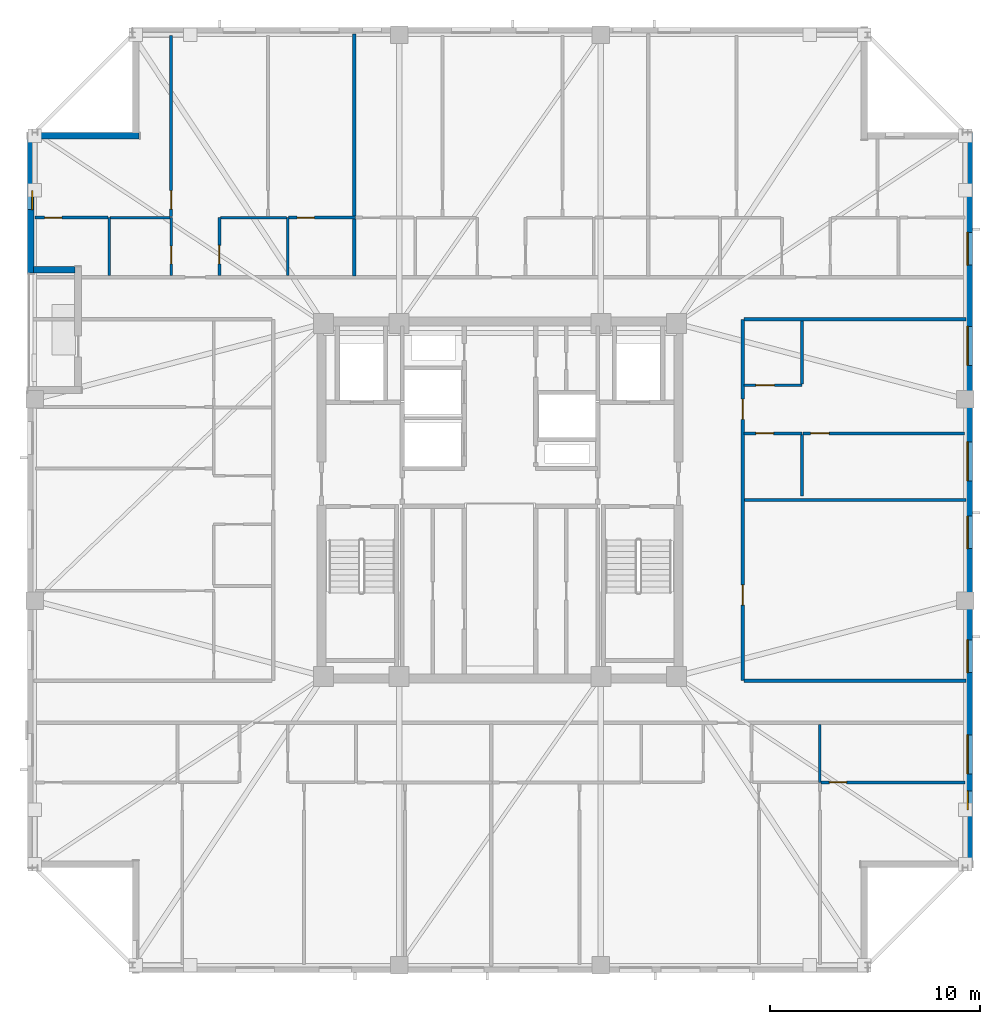
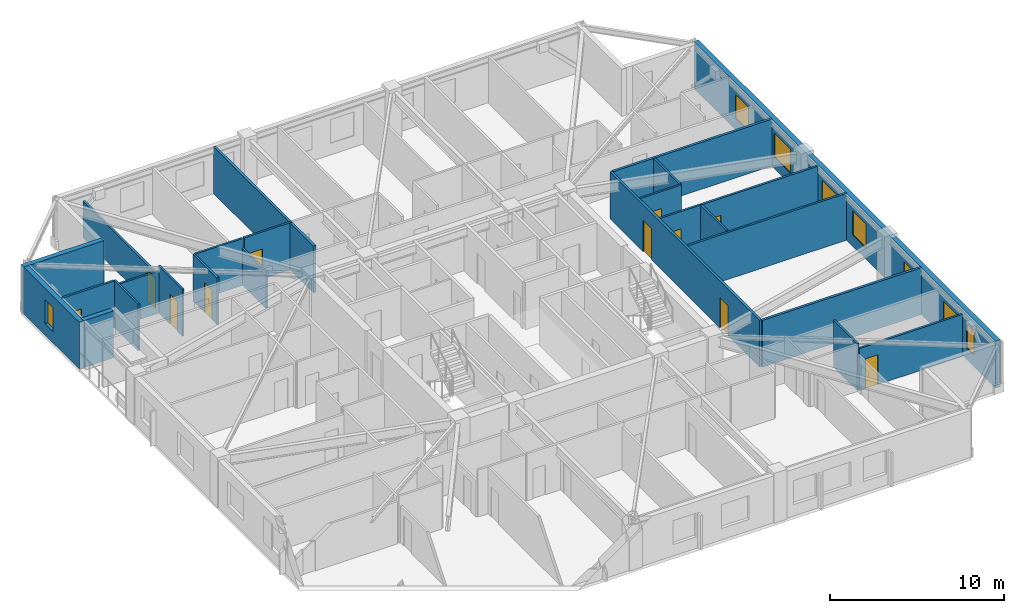
# One storey, part 10 of 17: 25 walls, 11 doors, 8 windows, 19 openings.
"""IFC4 building model written with IfcOpenShell, lengths in metres."""

from ifc_helpers import new_model, si_unit, direction, frame, frame_2d, origin, place, context, subcontext, project, spatial, rectangle, extrude, material, layer, layer_set, type_object, element, fill, save


model = new_model("IFC4")

# Units and contexts
model_context = context("Model", 3, precision=1e-05, world=origin(), true_north=direction((0.0, 1.0)))
body_context = subcontext(model_context, "Body", "Model", "MODEL_VIEW")
ifc_project = project(units=[si_unit("LENGTHUNIT", "METRE"), si_unit("AREAUNIT", "SQUARE_METRE"), si_unit("VOLUMEUNIT", "CUBIC_METRE"), si_unit("PLANEANGLEUNIT", "RADIAN"), si_unit("MASSUNIT", "GRAM", prefix="KILO")], contexts=[model_context])

# Site, building, storey
site_placement = place(None, origin())
site = spatial("IfcSite", under=ifc_project, at=site_placement, CompositionType="ELEMENT")
building_placement = place(site_placement, origin())
building = spatial("IfcBuilding", under=site, at=building_placement, Name="Cairnveth Concourse Tower", CompositionType="ELEMENT")
storey_placement = place(building_placement, frame((0.0, 0.0, 227.0)))
storey = spatial("IfcBuildingStorey", under=building, at=storey_placement, Name="L62", CompositionType="ELEMENT", Elevation=227.0)

# Wall, openings, doors
ifc_material_1 = material(Name="Gypsum Plasterboard Partition", Category="gypsum")
ifc_layer_1 = layer(ifc_material_1, 0.159912109375)
ifc_layer_set_1 = layer_set([ifc_layer_1], Name="Gypsum Plasterboard Partition")
wall_type_1 = type_object("IfcWallType", Name="ACOUSTIC PARTY WALL 180", PredefinedType="PARTITIONING", material=ifc_layer_set_1)
wall_1_placement = place(storey_placement, frame((63.550048828125, 30.39990234375, 0.0), z_axis=(0.0, 0.0, 1.0), x_axis=(0.0, 1.0, 0.0)))
wall_1 = element("IfcWall", 1, at=wall_1_placement, inside=storey, type_object=wall_type_1, Name="Interior Wall IW-L62-039", PredefinedType="PARTITIONING", context=body_context, shape_type="SweptSolid", body=[
    extrude(rectangle(XDim=17.2001953125, YDim=0.159912109375, at=frame_2d((8.60009765625, 0.0))), origin(), (0.0, 0.0, 1.0), 3.2900390625),
])
opening_1_placement = place(wall_1_placement, frame((3.60009765625, 0.0, 0.0)))
opening_1 = element("IfcOpeningElement", 2, at=opening_1_placement, cuts=wall_1, Name="Opening ID11", PredefinedType="OPENING", context=body_context, shape_type="SweptSolid", body=[
    extrude(rectangle(XDim=0.9599609375, YDim=2.1201171875, at=frame_2d((0.47998046875, 1.06005859375))), frame((0.0, 0.08984375, 0.0), z_axis=(0.0, -1.0, 0.0), x_axis=(1.0, 0.0, 0.0)), (0.0, 0.0, 1.0), 0.179931640625),
])
opening_2_placement = place(wall_1_placement, frame((12.43994140625, 0.0, 0.0)))
opening_2 = element("IfcOpeningElement", 3, at=opening_2_placement, cuts=wall_1, Name="Opening ID10", PredefinedType="OPENING", context=body_context, shape_type="SweptSolid", body=[
    extrude(rectangle(XDim=0.9599609375, YDim=2.179931640625, at=frame_2d((0.47998046875, 1.08984375))), frame((0.0, 0.08984375, 0.0), z_axis=(0.0, -1.0, 0.0), x_axis=(1.0, 0.0, 0.0)), (0.0, 0.0, 1.0), 0.179931640625),
])
ifc_material_2 = material(Name="Solid Core Hardwood Timber Leaf", Category="wood")
door_type_1 = type_object("IfcDoorType", Name="FLAT ENTRANCE DOOR 960X2150", OperationType="NOTDEFINED", PredefinedType="DOOR", material=ifc_material_2)
door_1_placement = place(opening_2_placement, origin())
door_1 = element("IfcDoor", 4, at=door_1_placement, inside=storey, type_object=door_type_1, Name="Apartment L62E1 Entrance Door", OperationType="SINGLE_SWING_RIGHT", OverallHeight=2.179931640625, OverallWidth=0.9599609375, PredefinedType="DOOR", context=body_context, shape_type="SweptSolid", body=[
    extrude(rectangle(XDim=0.9599609375, YDim=2.179931640625, at=frame_2d((0.47998046875, 1.08984375))), frame((0.0, 0.02490234375, 0.0), z_axis=(0.0, -1.0, 0.0), x_axis=(1.0, 0.0, 0.0)), (0.0, 0.0, 1.0), 0.050048828125),
])
fill(opening_2, door_1)
door_type_2 = type_object("IfcDoorType", Name="INTERIOR SINGLE DOOR 960X2150", OperationType="NOTDEFINED", PredefinedType="DOOR", material=ifc_material_2)
door_2_placement = place(opening_1_placement, origin())
door_2 = element("IfcDoor", 5, at=door_2_placement, inside=storey, type_object=door_type_2, Name="Interior Door DR-L62-062", OperationType="SINGLE_SWING_RIGHT", OverallHeight=2.1201171875, OverallWidth=0.9599609375, PredefinedType="DOOR", context=body_context, shape_type="SweptSolid", body=[
    extrude(rectangle(XDim=0.9599609375, YDim=2.1201171875, at=frame_2d((0.47998046875, 1.06005859375))), frame((0.0, 0.02490234375, 0.0), z_axis=(0.0, -1.0, 0.0), x_axis=(1.0, 0.0, 0.0)), (0.0, 0.0, 1.0), 0.050048828125),
])
fill(opening_1, door_2)

# Walls
for number, where, z_axis, x_axis, name in (
    (6, (63.614990234375, 30.39990234375, 0.0), (0.0, 0.0, 1.0), (1.0, 0.0, 0.0), "Interior Wall IW-L62-042"),
    (7, (63.614990234375, 47.60009765625, 0.0), (0.0, 0.0, 1.0), (1.0, 0.0, 0.0), "Interior Wall IW-L62-043"),
):
    element("IfcWall", number, at=place(storey_placement, frame(where, z_axis=z_axis, x_axis=x_axis)), inside=storey, type_object=wall_type_1, Name=name, PredefinedType="PARTITIONING", context=body_context, shape_type="SweptSolid", body=[
        extrude(rectangle(XDim=10.580078125, YDim=0.159912109375, at=frame_2d((5.2900390625, 0.0))), origin(), (0.0, 0.0, 1.0), 3.2900390625),
    ])
wall_2_placement = place(storey_placement, frame((45.0625, 49.677490234375, 0.0), z_axis=(0.0, 0.0, 1.0), x_axis=(0.0, 1.0, 0.0)))
element("IfcWall", 8, at=wall_2_placement, inside=storey, type_object=wall_type_1, Name="Interior Wall IW-L62-077", PredefinedType="PARTITIONING", context=body_context, shape_type="SweptSolid", body=[
    extrude(rectangle(XDim=11.517578125, YDim=0.159912109375, at=frame_2d((5.7587890625, 0.0))), origin(), (0.0, 0.0, 1.0), 3.2900390625),
])

# Wall, opening, door
ifc_layer_2 = layer(ifc_material_1, 0.139892578125)
ifc_layer_set_2 = layer_set([ifc_layer_2], Name="Gypsum Plasterboard Partition")
wall_type_2 = type_object("IfcWallType", Name="GYPSUM STUD PARTITION 140", PredefinedType="PARTITIONING", material=ifc_layer_set_2)
wall_3_placement = place(storey_placement, frame((67.284912109375, 25.5576171875, 0.0), z_axis=(0.0, 0.0, 1.0), x_axis=(1.0, 0.0, 0.0)))
wall_3 = element("IfcWall", 9, at=wall_3_placement, inside=storey, type_object=wall_type_2, Name="Interior Wall IW-L62-065", PredefinedType="PARTITIONING", context=body_context, shape_type="SweptSolid", body=[
    extrude(rectangle(XDim=6.844970703125, YDim=0.139892578125, at=frame_2d((3.42236328125, 0.0))), origin(), (0.0, 0.0, 1.0), 2.9580078125),
])
opening_3_placement = place(wall_3_placement, frame((0.393798828125, 0.0, 0.0)))
opening_3 = element("IfcOpeningElement", 10, at=opening_3_placement, cuts=wall_3, Name="Opening ID22", PredefinedType="OPENING", context=body_context, shape_type="SweptSolid", body=[
    extrude(rectangle(XDim=0.820068359375, YDim=2.10009765625, at=frame_2d((0.41015625, 1.050048828125))), frame((0.0, 0.079833984375, 0.0), z_axis=(0.0, -1.0, 0.0), x_axis=(1.0, 0.0, 0.0)), (0.0, 0.0, 1.0), 0.159912109375),
])
door_type_3 = type_object("IfcDoorType", Name="INTERIOR WC DOOR 820X2100", OperationType="NOTDEFINED", PredefinedType="DOOR", material=ifc_material_2)
door_3_placement = place(opening_3_placement, origin())
door_3 = element("IfcDoor", 11, at=door_3_placement, inside=storey, type_object=door_type_3, Name="L62S2 Utility Door", OperationType="SINGLE_SWING_LEFT", OverallHeight=2.10009765625, OverallWidth=0.820068359375, PredefinedType="DOOR", context=body_context, shape_type="SweptSolid", body=[
    extrude(rectangle(XDim=0.820068359375, YDim=2.10009765625, at=frame_2d((0.41015625, 1.050048828125))), frame((0.0, 0.02490234375, 0.0), z_axis=(0.0, -1.0, 0.0), x_axis=(1.0, 0.0, 0.0)), (0.0, 0.0, 1.0), 0.050048828125),
])
fill(opening_3, door_3)

wall_4_placement = place(storey_placement, frame((36.34130859375, 52.492431640625, 0.0), z_axis=(0.0, 0.0, 1.0), x_axis=(0.0, 1.0, 0.0)))
wall_4 = element("IfcWall", 12, at=wall_4_placement, inside=storey, type_object=wall_type_2, Name="Interior Wall IW-L62-073", PredefinedType="PARTITIONING", context=body_context, shape_type="SweptSolid", body=[
    extrude(rectangle(XDim=8.627685546875, YDim=0.139892578125, at=frame_2d((4.31396484375, 0.0))), origin(), (0.0, 0.0, 1.0), 2.572998046875),
])
opening_4_placement = place(wall_4_placement, frame((0.360107421875, 0.0, 0.0)))
opening_4 = element("IfcOpeningElement", 13, at=opening_4_placement, cuts=wall_4, Name="Opening ID18", PredefinedType="OPENING", context=body_context, shape_type="SweptSolid", body=[
    extrude(rectangle(XDim=0.8798828125, YDim=2.10009765625, at=frame_2d((0.43994140625, 1.050048828125))), frame((0.0, 0.079833984375, 0.0), z_axis=(0.0, -1.0, 0.0), x_axis=(1.0, 0.0, 0.0)), (0.0, 0.0, 1.0), 0.159912109375),
])
door_type_4 = type_object("IfcDoorType", Name="INTERIOR SINGLE DOOR 880X2100", OperationType="NOTDEFINED", PredefinedType="DOOR", material=ifc_material_2)
door_4_placement = place(opening_4_placement, origin())
door_4 = element("IfcDoor", 14, at=door_4_placement, inside=storey, type_object=door_type_4, Name="L62N1 Master Bedroom Door", OperationType="SINGLE_SWING_RIGHT", OverallHeight=2.10009765625, OverallWidth=0.8798828125, PredefinedType="DOOR", context=body_context, shape_type="SweptSolid", body=[
    extrude(rectangle(XDim=0.8798828125, YDim=2.10009765625, at=frame_2d((0.43994140625, 1.050048828125))), frame((0.0, 0.02490234375, 0.0), z_axis=(0.0, -1.0, 0.0), x_axis=(1.0, 0.0, 0.0)), (0.0, 0.0, 1.0), 0.050048828125),
])
fill(opening_4, door_4)

wall_5_placement = place(storey_placement, frame((29.8701171875, 52.4423828125, 0.0), z_axis=(0.0, 0.0, 1.0), x_axis=(1.0, 0.0, 0.0)))
wall_5 = element("IfcWall", 15, at=wall_5_placement, inside=storey, type_object=wall_type_2, Name="Interior Wall IW-L62-074", PredefinedType="PARTITIONING", context=body_context, shape_type="SweptSolid", body=[
    extrude(rectangle(XDim=3.47119140625, YDim=0.139892578125, at=frame_2d((1.735595703125, 0.0))), origin(), (0.0, 0.0, 1.0), 3.2900390625),
])
opening_5_placement = place(wall_5_placement, frame((0.449951171875, 0.0, 0.0)))
opening_5 = element("IfcOpeningElement", 16, at=opening_5_placement, cuts=wall_5, Name="Opening ID22", PredefinedType="OPENING", context=body_context, shape_type="SweptSolid", body=[
    extrude(rectangle(XDim=0.820068359375, YDim=2.10009765625, at=frame_2d((0.41015625, 1.050048828125))), frame((0.0, 0.079833984375, 0.0), z_axis=(0.0, -1.0, 0.0), x_axis=(1.0, 0.0, 0.0)), (0.0, 0.0, 1.0), 0.159912109375),
])
door_5_placement = place(opening_5_placement, origin())
door_5 = element("IfcDoor", 17, at=door_5_placement, inside=storey, type_object=door_type_3, Name="L62N1 Dressing Door", OperationType="SINGLE_SWING_LEFT", OverallHeight=2.10009765625, OverallWidth=0.820068359375, PredefinedType="DOOR", context=body_context, shape_type="SweptSolid", body=[
    extrude(rectangle(XDim=0.820068359375, YDim=2.10009765625, at=frame_2d((0.41015625, 1.050048828125))), frame((0.0, 0.02490234375, 0.0), z_axis=(0.0, -1.0, 0.0), x_axis=(1.0, 0.0, 0.0)), (0.0, 0.0, 1.0), 0.050048828125),
])
fill(opening_5, door_5)

wall_6_placement = place(storey_placement, frame((41.941162109375, 52.4423828125, 0.0), z_axis=(0.0, 0.0, 1.0), x_axis=(1.0, 0.0, 0.0)))
wall_6 = element("IfcWall", 18, at=wall_6_placement, inside=storey, type_object=wall_type_2, Name="Interior Wall IW-L62-076", PredefinedType="PARTITIONING", context=body_context, shape_type="SweptSolid", body=[
    extrude(rectangle(XDim=3.17138671875, YDim=0.139892578125, at=frame_2d((1.585693359375, 0.0))), origin(), (0.0, 0.0, 1.0), 3.2900390625),
])
opening_6_placement = place(wall_6_placement, frame((0.39990234375, 0.0, 0.0)))
opening_6 = element("IfcOpeningElement", 19, at=opening_6_placement, cuts=wall_6, Name="Opening ID22", PredefinedType="OPENING", context=body_context, shape_type="SweptSolid", body=[
    extrude(rectangle(XDim=0.820068359375, YDim=2.10009765625, at=frame_2d((0.41015625, 1.050048828125))), frame((0.0, 0.079833984375, 0.0), z_axis=(0.0, -1.0, 0.0), x_axis=(1.0, 0.0, 0.0)), (0.0, 0.0, 1.0), 0.159912109375),
])
door_6_placement = place(opening_6_placement, origin())
door_6 = element("IfcDoor", 20, at=door_6_placement, inside=storey, type_object=door_type_3, Name="L62N1 Utility Door", OperationType="SINGLE_SWING_LEFT", OverallHeight=2.10009765625, OverallWidth=0.820068359375, PredefinedType="DOOR", context=body_context, shape_type="SweptSolid", body=[
    extrude(rectangle(XDim=0.820068359375, YDim=2.10009765625, at=frame_2d((0.41015625, 1.050048828125))), frame((0.0, 0.02490234375, 0.0), z_axis=(0.0, -1.0, 0.0), x_axis=(1.0, 0.0, 0.0)), (0.0, 0.0, 1.0), 0.050048828125),
])
fill(opening_6, door_6)

# Wall
wall_7_placement = place(storey_placement, frame((63.6298828125, 39.0, 0.0), z_axis=(0.0, 0.0, 1.0), x_axis=(1.0, 0.0, 0.0)))
element("IfcWall", 21, at=wall_7_placement, inside=storey, type_object=wall_type_2, Name="Interior Wall IW-L62-110", PredefinedType="PARTITIONING", context=body_context, shape_type="SweptSolid", body=[
    extrude(rectangle(XDim=10.565185546875, YDim=0.139892578125, at=frame_2d((5.28271484375, 0.0))), origin(), (0.0, 0.0, 1.0), 3.2900390625),
])

# Wall, opening, door
wall_8_placement = place(storey_placement, frame((66.429931640625, 42.169921875, 0.0), z_axis=(0.0, 0.0, 1.0), x_axis=(1.0, 0.0, 0.0)))
wall_8 = element("IfcWall", 22, at=wall_8_placement, inside=storey, type_object=wall_type_2, Name="Interior Wall IW-L62-115", PredefinedType="PARTITIONING", context=body_context, shape_type="SweptSolid", body=[
    extrude(rectangle(XDim=7.690185546875, YDim=0.139892578125, at=frame_2d((3.84521484375, 0.0))), origin(), (0.0, 0.0, 1.0), 3.2900390625),
])
opening_7_placement = place(wall_8_placement, frame((0.360107421875, 0.0, 0.0)))
opening_7 = element("IfcOpeningElement", 23, at=opening_7_placement, cuts=wall_8, Name="Opening ID18", PredefinedType="OPENING", context=body_context, shape_type="SweptSolid", body=[
    extrude(rectangle(XDim=0.8798828125, YDim=2.10009765625, at=frame_2d((0.43994140625, 1.050048828125))), frame((0.0, 0.079833984375, 0.0), z_axis=(0.0, -1.0, 0.0), x_axis=(1.0, 0.0, 0.0)), (0.0, 0.0, 1.0), 0.159912109375),
])
door_7_placement = place(opening_7_placement, origin())
door_7 = element("IfcDoor", 24, at=door_7_placement, inside=storey, type_object=door_type_4, Name="L62E1 Master Bedroom Door", OperationType="SINGLE_SWING_LEFT", OverallHeight=2.10009765625, OverallWidth=0.8798828125, PredefinedType="DOOR", context=body_context, shape_type="SweptSolid", body=[
    extrude(rectangle(XDim=0.8798828125, YDim=2.10009765625, at=frame_2d((0.43994140625, 1.050048828125))), frame((0.0, 0.02490234375, 0.0), z_axis=(0.0, -1.0, 0.0), x_axis=(1.0, 0.0, 0.0)), (0.0, 0.0, 1.0), 0.050048828125),
])
fill(opening_7, door_7)

# Walls
ifc_layer_3 = layer(ifc_material_1, 0.1298828125)
ifc_layer_set_3 = layer_set([ifc_layer_3], Name="Gypsum Plasterboard Partition")
wall_type_3 = type_object("IfcWallType", Name="WET AREA PARTITION 140", PredefinedType="PLUMBINGWALL", material=ifc_layer_set_3)
for number, where, z_axis, x_axis, name in (
    (25, (67.228759765625, 25.5576171875, 0.0), (0.0, 0.0, 1.0), (0.0, 1.0, 0.0), "Interior Wall IW-L62-059"),
    (26, (33.391357421875, 49.6923828125, 0.0), (0.0, 0.0, 1.0), (0.0, 1.0, 0.0), "Interior Wall IW-L62-067"),
):
    element("IfcWall", number, at=place(storey_placement, frame(where, z_axis=z_axis, x_axis=x_axis)), inside=storey, type_object=wall_type_3, Name=name, PredefinedType="PLUMBINGWALL", context=body_context, shape_type="SweptSolid", body=[
        extrude(rectangle(XDim=2.75, YDim=0.1298828125, at=frame_2d((1.375, 0.0))), origin(), (0.0, 0.0, 1.0), 3.2900390625),
    ])

# Wall, opening, door
wall_9_placement = place(storey_placement, frame((36.34130859375, 49.6923828125, 0.0), z_axis=(0.0, 0.0, 1.0), x_axis=(0.0, 1.0, 0.0)))
wall_9 = element("IfcWall", 27, at=wall_9_placement, inside=storey, type_object=wall_type_3, Name="Interior Wall IW-L62-068", PredefinedType="PLUMBINGWALL", context=body_context, shape_type="SweptSolid", body=[
    extrude(rectangle(XDim=2.75, YDim=0.1298828125, at=frame_2d((1.375, 0.0))), origin(), (0.0, 0.0, 1.0), 3.2900390625),
])
opening_8_placement = place(wall_9_placement, frame((0.550048828125, 0.0, 0.0)))
opening_8 = element("IfcOpeningElement", 28, at=opening_8_placement, cuts=wall_9, Name="Opening ID21", PredefinedType="OPENING", context=body_context, shape_type="SweptSolid", body=[
    extrude(rectangle(XDim=0.85009765625, YDim=2.080078125, at=frame_2d((0.425048828125, 1.0400390625))), frame((0.0, 0.074951171875, 0.0), z_axis=(0.0, -1.0, 0.0), x_axis=(1.0, 0.0, 0.0)), (0.0, 0.0, 1.0), 0.14990234375),
])
door_type_5 = type_object("IfcDoorType", Name="INTERIOR WC DOOR 850X2100", OperationType="NOTDEFINED", PredefinedType="DOOR", material=ifc_material_2)
door_8_placement = place(opening_8_placement, origin())
door_8 = element("IfcDoor", 29, at=door_8_placement, inside=storey, type_object=door_type_5, Name="L62N1 Bathroom Door", OperationType="SINGLE_SWING_LEFT", OverallHeight=2.080078125, OverallWidth=0.85009765625, PredefinedType="DOOR", context=body_context, shape_type="SweptSolid", body=[
    extrude(rectangle(XDim=0.85009765625, YDim=2.080078125, at=frame_2d((0.425048828125, 1.0400390625))), frame((0.0, 0.02490234375, 0.0), z_axis=(0.0, -1.0, 0.0), x_axis=(1.0, 0.0, 0.0)), (0.0, 0.0, 1.0), 0.050048828125),
])
fill(opening_8, door_8)

# Walls
wall_10_placement = place(storey_placement, frame((33.44140625, 52.4423828125, 0.0), z_axis=(0.0, 0.0, 1.0), x_axis=(1.0, 0.0, 0.0)))
element("IfcWall", 30, at=wall_10_placement, inside=storey, type_object=wall_type_3, Name="Interior Wall IW-L62-069", PredefinedType="PLUMBINGWALL", context=body_context, shape_type="SweptSolid", body=[
    extrude(rectangle(XDim=2.849853515625, YDim=0.1298828125, at=frame_2d((1.4248046875, 0.0))), origin(), (0.0, 0.0, 1.0), 2.9580078125),
])
wall_11_placement = place(storey_placement, frame((41.89111328125, 49.6923828125, 0.0), z_axis=(0.0, 0.0, 1.0), x_axis=(0.0, 1.0, 0.0)))
element("IfcWall", 31, at=wall_11_placement, inside=storey, type_object=wall_type_3, Name="Interior Wall IW-L62-070", PredefinedType="PLUMBINGWALL", context=body_context, shape_type="SweptSolid", body=[
    extrude(rectangle(XDim=2.75, YDim=0.1298828125, at=frame_2d((1.375, 0.0))), origin(), (0.0, 0.0, 1.0), 2.572998046875),
])

# Wall, opening, door
wall_12_placement = place(storey_placement, frame((38.64111328125, 49.6923828125, 0.0), z_axis=(0.0, 0.0, 1.0), x_axis=(0.0, 1.0, 0.0)))
wall_12 = element("IfcWall", 32, at=wall_12_placement, inside=storey, type_object=wall_type_3, Name="Interior Wall IW-L62-071", PredefinedType="PLUMBINGWALL", context=body_context, shape_type="SweptSolid", body=[
    extrude(rectangle(XDim=2.75, YDim=0.1298828125, at=frame_2d((1.375, 0.0))), origin(), (0.0, 0.0, 1.0), 3.2900390625),
])
opening_9_placement = place(wall_12_placement, frame((0.550048828125, 0.0, 0.0)))
opening_9 = element("IfcOpeningElement", 33, at=opening_9_placement, cuts=wall_12, Name="Opening ID18", PredefinedType="OPENING", context=body_context, shape_type="SweptSolid", body=[
    extrude(rectangle(XDim=0.8798828125, YDim=2.10009765625, at=frame_2d((0.43994140625, 1.050048828125))), frame((0.0, 0.074951171875, 0.0), z_axis=(0.0, -1.0, 0.0), x_axis=(1.0, 0.0, 0.0)), (0.0, 0.0, 1.0), 0.14990234375),
])
door_9_placement = place(opening_9_placement, origin())
door_9 = element("IfcDoor", 34, at=door_9_placement, inside=storey, type_object=door_type_4, Name="L62N1 Kitchen Door", OperationType="SINGLE_SWING_RIGHT", OverallHeight=2.10009765625, OverallWidth=0.8798828125, PredefinedType="DOOR", context=body_context, shape_type="SweptSolid", body=[
    extrude(rectangle(XDim=0.8798828125, YDim=2.10009765625, at=frame_2d((0.43994140625, 1.050048828125))), frame((0.0, 0.02490234375, 0.0), z_axis=(0.0, -1.0, 0.0), x_axis=(1.0, 0.0, 0.0)), (0.0, 0.0, 1.0), 0.050048828125),
])
fill(opening_9, door_9)

# Wall
wall_13_placement = place(storey_placement, frame((38.691162109375, 52.4423828125, 0.0), z_axis=(0.0, 0.0, 1.0), x_axis=(1.0, 0.0, 0.0)))
element("IfcWall", 35, at=wall_13_placement, inside=storey, type_object=wall_type_3, Name="Interior Wall IW-L62-072", PredefinedType="PLUMBINGWALL", context=body_context, shape_type="SweptSolid", body=[
    extrude(rectangle(XDim=3.150146484375, YDim=0.1298828125, at=frame_2d((1.5751953125, 0.0))), origin(), (0.0, 0.0, 1.0), 3.2900390625),
])

# Wall, opening, door
wall_14_placement = place(storey_placement, frame((63.6298828125, 42.169921875, 0.0), z_axis=(0.0, 0.0, 1.0), x_axis=(1.0, 0.0, 0.0)))
wall_14 = element("IfcWall", 36, at=wall_14_placement, inside=storey, type_object=wall_type_3, Name="Interior Wall IW-L62-111", PredefinedType="PLUMBINGWALL", context=body_context, shape_type="SweptSolid", body=[
    extrude(rectangle(XDim=2.75, YDim=0.1298828125, at=frame_2d((1.375, 0.0))), origin(), (0.0, 0.0, 1.0), 3.2900390625),
])
opening_10_placement = place(wall_14_placement, frame((0.550048828125, 0.0, 0.0)))
opening_10 = element("IfcOpeningElement", 37, at=opening_10_placement, cuts=wall_14, Name="Opening ID21", PredefinedType="OPENING", context=body_context, shape_type="SweptSolid", body=[
    extrude(rectangle(XDim=0.85009765625, YDim=2.080078125, at=frame_2d((0.425048828125, 1.0400390625))), frame((0.0, 0.074951171875, 0.0), z_axis=(0.0, -1.0, 0.0), x_axis=(1.0, 0.0, 0.0)), (0.0, 0.0, 1.0), 0.14990234375),
])
door_10_placement = place(opening_10_placement, origin())
door_10 = element("IfcDoor", 38, at=door_10_placement, inside=storey, type_object=door_type_5, Name="L62E1 Bathroom Door", OperationType="SINGLE_SWING_LEFT", OverallHeight=2.080078125, OverallWidth=0.85009765625, PredefinedType="DOOR", context=body_context, shape_type="SweptSolid", body=[
    extrude(rectangle(XDim=0.85009765625, YDim=2.080078125, at=frame_2d((0.425048828125, 1.0400390625))), frame((0.0, 0.02490234375, 0.0), z_axis=(0.0, -1.0, 0.0), x_axis=(1.0, 0.0, 0.0)), (0.0, 0.0, 1.0), 0.050048828125),
])
fill(opening_10, door_10)

# Wall
wall_15_placement = place(storey_placement, frame((66.3798828125, 39.179931640625, 0.0), z_axis=(0.0, 0.0, 1.0), x_axis=(0.0, 1.0, 0.0)))
element("IfcWall", 39, at=wall_15_placement, inside=storey, type_object=wall_type_3, Name="Interior Wall IW-L62-112", PredefinedType="PLUMBINGWALL", context=body_context, shape_type="SweptSolid", body=[
    extrude(rectangle(XDim=2.940185546875, YDim=0.1298828125, at=frame_2d((1.47021484375, 0.0))), origin(), (0.0, 0.0, 1.0), 3.2900390625),
])

# Wall, opening, door
wall_16_placement = place(storey_placement, frame((63.6298828125, 44.469970703125, 0.0), z_axis=(0.0, 0.0, 1.0), x_axis=(1.0, 0.0, 0.0)))
wall_16 = element("IfcWall", 40, at=wall_16_placement, inside=storey, type_object=wall_type_3, Name="Interior Wall IW-L62-113", PredefinedType="PLUMBINGWALL", context=body_context, shape_type="SweptSolid", body=[
    extrude(rectangle(XDim=2.75, YDim=0.1298828125, at=frame_2d((1.375, 0.0))), origin(), (0.0, 0.0, 1.0), 3.2900390625),
])
opening_11_placement = place(wall_16_placement, frame((0.550048828125, 0.0, 0.0)))
opening_11 = element("IfcOpeningElement", 41, at=opening_11_placement, cuts=wall_16, Name="Opening ID18", PredefinedType="OPENING", context=body_context, shape_type="SweptSolid", body=[
    extrude(rectangle(XDim=0.8798828125, YDim=2.10009765625, at=frame_2d((0.43994140625, 1.050048828125))), frame((0.0, 0.074951171875, 0.0), z_axis=(0.0, -1.0, 0.0), x_axis=(1.0, 0.0, 0.0)), (0.0, 0.0, 1.0), 0.14990234375),
])
door_11_placement = place(opening_11_placement, origin())
door_11 = element("IfcDoor", 42, at=door_11_placement, inside=storey, type_object=door_type_4, Name="L62E1 Kitchen Door", OperationType="SINGLE_SWING_RIGHT", OverallHeight=2.10009765625, OverallWidth=0.8798828125, PredefinedType="DOOR", context=body_context, shape_type="SweptSolid", body=[
    extrude(rectangle(XDim=0.8798828125, YDim=2.10009765625, at=frame_2d((0.43994140625, 1.050048828125))), frame((0.0, 0.02490234375, 0.0), z_axis=(0.0, -1.0, 0.0), x_axis=(1.0, 0.0, 0.0)), (0.0, 0.0, 1.0), 0.050048828125),
])
fill(opening_11, door_11)

# Wall
wall_17_placement = place(storey_placement, frame((66.3798828125, 44.52001953125, 0.0), z_axis=(0.0, 0.0, 1.0), x_axis=(0.0, 1.0, 0.0)))
element("IfcWall", 43, at=wall_17_placement, inside=storey, type_object=wall_type_3, Name="Interior Wall IW-L62-114", PredefinedType="PLUMBINGWALL", context=body_context, shape_type="SweptSolid", body=[
    extrude(rectangle(XDim=3.014892578125, YDim=0.1298828125, at=frame_2d((1.50732421875, 0.0))), origin(), (0.0, 0.0, 1.0), 3.2900390625),
])

# Wall, opening, window
ifc_material_3 = material(Name="Melbourne Buff Fired Clay Brick Masonry", Category="masonry")
ifc_layer_4 = layer(ifc_material_3, 0.320068359375)
ifc_layer_set_4 = layer_set([ifc_layer_4], Name="Melbourne Buff Fired Clay Brick Masonry")
wall_type_4 = type_object("IfcWallType", Name="ZONE 3 BRICK PIER SPANDREL WALL 320", PredefinedType="SOLIDWALL", material=ifc_layer_set_4)
wall_18_placement = place(storey_placement, frame((29.659912109375, 49.800048828125, 0.0), z_axis=(0.0, 0.0, 1.0), x_axis=(0.0, 1.0, 0.0)))
wall_18 = element("IfcWall", 44, at=wall_18_placement, inside=storey, type_object=wall_type_4, Name="Exterior Wall EW-L62-S00", PredefinedType="SOLIDWALL", context=body_context, shape_type="SweptSolid", body=[
    extrude(rectangle(XDim=6.40185546875, YDim=0.320068359375, at=frame_2d((3.200927734375, 0.0))), origin(), (0.0, 0.0, 1.0), 3.2900390625),
])
opening_12_placement = place(wall_18_placement, frame((3.030029296875, 0.0, 0.800048828125)))
opening_12 = element("IfcOpeningElement", 45, at=opening_12_placement, cuts=wall_18, Name="Opening W13", PredefinedType="OPENING", context=body_context, shape_type="SweptSolid", body=[
    extrude(rectangle(XDim=0.89990234375, YDim=1.677978515625, at=frame_2d((0.449951171875, 0.8388671875))), frame((0.0, 0.169921875, 0.0), z_axis=(0.0, -1.0, 0.0), x_axis=(1.0, 0.0, 0.0)), (0.0, 0.0, 1.0), 0.340087890625),
])
ifc_material_4 = material(Name="Double Glazed Low-E Clear Glass", Category="glass")
window_type_1 = type_object("IfcWindowType", Name="DEEP-SET BEDROOM LANCET WINDOW 900X1750", PartitioningType="DOUBLE_PANEL_VERTICAL", PredefinedType="WINDOW", material=ifc_material_4)
window_1_placement = place(opening_12_placement, origin())
window_1 = element("IfcWindow", 46, at=window_1_placement, inside=storey, type_object=window_type_1, Name="Dwelling Lancet Window L62-DW3", OverallHeight=1.677978515625, OverallWidth=0.89990234375, PartitioningType="SINGLE_PANEL", PredefinedType="WINDOW", context=body_context, shape_type="SweptSolid", body=[
    extrude(rectangle(XDim=0.89990234375, YDim=1.677978515625, at=frame_2d((0.449951171875, 0.8388671875))), frame((0.0, -0.0400390625, 0.0), z_axis=(0.0, -1.0, 0.0), x_axis=(1.0, 0.0, 0.0)), (0.0, 0.0, 1.0), 0.06005859375),
])
fill(opening_12, window_1)

# Wall
wall_19_placement = place(storey_placement, frame((29.5, 56.340087890625, 0.0), z_axis=(0.0, 0.0, 1.0), x_axis=(1.0, 0.0, 0.0)))
element("IfcWall", 47, at=wall_19_placement, inside=storey, type_object=wall_type_4, Name="Exterior Wall EW-L62-S01", PredefinedType="SOLIDWALL", context=body_context, shape_type="SweptSolid", body=[
    extrude(rectangle(XDim=5.320068359375, YDim=0.320068359375, at=frame_2d((2.66015625, 0.0))), origin(), (0.0, 0.0, 1.0), 3.2900390625),
])

# Wall, openings, windows
wall_20_placement = place(storey_placement, frame((74.340087890625, 56.5, 0.0), z_axis=(0.0, 0.0, 1.0), x_axis=(0.0, -1.0, 0.0)))
wall_20 = element("IfcWall", 48, at=wall_20_placement, inside=storey, type_object=wall_type_4, Name="Exterior Wall EW-L62-S06", PredefinedType="SOLIDWALL", context=body_context, shape_type="SweptSolid", body=[
    extrude(rectangle(XDim=34.701904296875, YDim=0.320068359375, at=frame_2d((17.35107421875, 0.0))), origin(), (0.0, 0.0, 1.0), 3.2900390625),
])
opening_13_placement = place(wall_20_placement, frame((4.7626953125, 0.0, 0.800048828125)))
opening_13 = element("IfcOpeningElement", 49, at=opening_13_placement, cuts=wall_20, Name="Opening W07", PredefinedType="OPENING", context=body_context, shape_type="SweptSolid", body=[
    extrude(rectangle(XDim=1.550048828125, YDim=1.677978515625, at=frame_2d((0.77490234375, 0.8388671875))), frame((0.0, 0.169921875, 0.0), z_axis=(0.0, -1.0, 0.0), x_axis=(1.0, 0.0, 0.0)), (0.0, 0.0, 1.0), 0.340087890625),
])
opening_14_placement = place(wall_20_placement, frame((9.23779296875, 0.0, 0.800048828125)))
opening_14 = element("IfcOpeningElement", 50, at=opening_14_placement, cuts=wall_20, Name="Opening W08", PredefinedType="OPENING", context=body_context, shape_type="SweptSolid", body=[
    extrude(rectangle(XDim=1.85009765625, YDim=1.677978515625, at=frame_2d((0.925048828125, 0.8388671875))), frame((0.0, 0.169921875, 0.0), z_axis=(0.0, -1.0, 0.0), x_axis=(1.0, 0.0, 0.0)), (0.0, 0.0, 1.0), 0.340087890625),
])
opening_15_placement = place(wall_20_placement, frame((14.73828125, 0.0, 0.800048828125)))
opening_15 = element("IfcOpeningElement", 51, at=opening_15_placement, cuts=wall_20, Name="Opening W08", PredefinedType="OPENING", context=body_context, shape_type="SweptSolid", body=[
    extrude(rectangle(XDim=1.85009765625, YDim=1.677978515625, at=frame_2d((0.925048828125, 0.8388671875))), frame((0.0, 0.169921875, 0.0), z_axis=(0.0, -1.0, 0.0), x_axis=(1.0, 0.0, 0.0)), (0.0, 0.0, 1.0), 0.340087890625),
])
opening_16_placement = place(wall_20_placement, frame((18.263671875, 0.0, 0.800048828125)))
opening_16 = element("IfcOpeningElement", 52, at=opening_16_placement, cuts=wall_20, Name="Opening W07", PredefinedType="OPENING", context=body_context, shape_type="SweptSolid", body=[
    extrude(rectangle(XDim=1.550048828125, YDim=1.677978515625, at=frame_2d((0.77490234375, 0.8388671875))), frame((0.0, 0.169921875, 0.0), z_axis=(0.0, -1.0, 0.0), x_axis=(1.0, 0.0, 0.0)), (0.0, 0.0, 1.0), 0.340087890625),
])
opening_17_placement = place(wall_20_placement, frame((24.1640625, 0.0, 0.800048828125)))
opening_17 = element("IfcOpeningElement", 53, at=opening_17_placement, cuts=wall_20, Name="Opening W07", PredefinedType="OPENING", context=body_context, shape_type="SweptSolid", body=[
    extrude(rectangle(XDim=1.550048828125, YDim=1.677978515625, at=frame_2d((0.77490234375, 0.8388671875))), frame((0.0, 0.169921875, 0.0), z_axis=(0.0, -1.0, 0.0), x_axis=(1.0, 0.0, 0.0)), (0.0, 0.0, 1.0), 0.340087890625),
])
opening_18_placement = place(wall_20_placement, frame((28.689453125, 0.0, 0.800048828125)))
opening_18 = element("IfcOpeningElement", 54, at=opening_18_placement, cuts=wall_20, Name="Opening W08", PredefinedType="OPENING", context=body_context, shape_type="SweptSolid", body=[
    extrude(rectangle(XDim=1.85009765625, YDim=1.677978515625, at=frame_2d((0.925048828125, 0.8388671875))), frame((0.0, 0.169921875, 0.0), z_axis=(0.0, -1.0, 0.0), x_axis=(1.0, 0.0, 0.0)), (0.0, 0.0, 1.0), 0.340087890625),
])
opening_19_placement = place(wall_20_placement, frame((31.35009765625, 0.0, 0.800048828125)))
opening_19 = element("IfcOpeningElement", 55, at=opening_19_placement, cuts=wall_20, Name="Opening W13", PredefinedType="OPENING", context=body_context, shape_type="SweptSolid", body=[
    extrude(rectangle(XDim=0.89990234375, YDim=1.677978515625, at=frame_2d((0.449951171875, 0.8388671875))), frame((0.0, 0.169921875, 0.0), z_axis=(0.0, -1.0, 0.0), x_axis=(1.0, 0.0, 0.0)), (0.0, 0.0, 1.0), 0.340087890625),
])
window_type_2 = type_object("IfcWindowType", Name="DEEP-SET APARTMENT LIVING WINDOW 1850X1850", PartitioningType="DOUBLE_PANEL_VERTICAL", PredefinedType="WINDOW", material=ifc_material_4)
window_2_placement = place(opening_14_placement, origin())
window_2 = element("IfcWindow", 56, at=window_2_placement, inside=storey, type_object=window_type_2, Name="Gothic Lancet Window L62-6-2", OverallHeight=1.677978515625, OverallWidth=1.85009765625, PartitioningType="SINGLE_PANEL", PredefinedType="WINDOW", context=body_context, shape_type="SweptSolid", body=[
    extrude(rectangle(XDim=1.85009765625, YDim=1.677978515625, at=frame_2d((0.925048828125, 0.8388671875))), frame((0.0, -0.050048828125, 0.0), z_axis=(0.0, -1.0, 0.0), x_axis=(1.0, 0.0, 0.0)), (0.0, 0.0, 1.0), 0.06005859375),
])
fill(opening_14, window_2)
window_3_placement = place(opening_15_placement, origin())
window_3 = element("IfcWindow", 57, at=window_3_placement, inside=storey, type_object=window_type_2, Name="Gothic Lancet Window L62-6-4", OverallHeight=1.677978515625, OverallWidth=1.85009765625, PartitioningType="SINGLE_PANEL", PredefinedType="WINDOW", context=body_context, shape_type="SweptSolid", body=[
    extrude(rectangle(XDim=1.85009765625, YDim=1.677978515625, at=frame_2d((0.925048828125, 0.8388671875))), frame((0.0, -0.050048828125, 0.0), z_axis=(0.0, -1.0, 0.0), x_axis=(1.0, 0.0, 0.0)), (0.0, 0.0, 1.0), 0.06005859375),
])
fill(opening_15, window_3)
window_4_placement = place(opening_18_placement, origin())
window_4 = element("IfcWindow", 58, at=window_4_placement, inside=storey, type_object=window_type_2, Name="Gothic Lancet Window L62-6-8", OverallHeight=1.677978515625, OverallWidth=1.85009765625, PartitioningType="SINGLE_PANEL", PredefinedType="WINDOW", context=body_context, shape_type="SweptSolid", body=[
    extrude(rectangle(XDim=1.85009765625, YDim=1.677978515625, at=frame_2d((0.925048828125, 0.8388671875))), frame((0.0, -0.050048828125, 0.0), z_axis=(0.0, -1.0, 0.0), x_axis=(1.0, 0.0, 0.0)), (0.0, 0.0, 1.0), 0.06005859375),
])
fill(opening_18, window_4)
window_type_3 = type_object("IfcWindowType", Name="DEEP-SET APARTMENT WINDOW 1550X1800", PartitioningType="DOUBLE_PANEL_VERTICAL", PredefinedType="WINDOW", material=ifc_material_4)
window_5_placement = place(opening_13_placement, origin())
window_5 = element("IfcWindow", 59, at=window_5_placement, inside=storey, type_object=window_type_3, Name="Gothic Lancet Window L62-6-1", OverallHeight=1.677978515625, OverallWidth=1.550048828125, PartitioningType="SINGLE_PANEL", PredefinedType="WINDOW", context=body_context, shape_type="SweptSolid", body=[
    extrude(rectangle(XDim=1.550048828125, YDim=1.677978515625, at=frame_2d((0.77490234375, 0.8388671875))), frame((0.0, -0.050048828125, 0.0), z_axis=(0.0, -1.0, 0.0), x_axis=(1.0, 0.0, 0.0)), (0.0, 0.0, 1.0), 0.06005859375),
])
fill(opening_13, window_5)
window_6_placement = place(opening_16_placement, origin())
window_6 = element("IfcWindow", 60, at=window_6_placement, inside=storey, type_object=window_type_3, Name="Gothic Lancet Window L62-6-5", OverallHeight=1.677978515625, OverallWidth=1.550048828125, PartitioningType="SINGLE_PANEL", PredefinedType="WINDOW", context=body_context, shape_type="SweptSolid", body=[
    extrude(rectangle(XDim=1.550048828125, YDim=1.677978515625, at=frame_2d((0.77490234375, 0.8388671875))), frame((0.0, -0.050048828125, 0.0), z_axis=(0.0, -1.0, 0.0), x_axis=(1.0, 0.0, 0.0)), (0.0, 0.0, 1.0), 0.06005859375),
])
fill(opening_16, window_6)
window_7_placement = place(opening_17_placement, origin())
window_7 = element("IfcWindow", 61, at=window_7_placement, inside=storey, type_object=window_type_3, Name="Gothic Lancet Window L62-6-7", OverallHeight=1.677978515625, OverallWidth=1.550048828125, PartitioningType="SINGLE_PANEL", PredefinedType="WINDOW", context=body_context, shape_type="SweptSolid", body=[
    extrude(rectangle(XDim=1.550048828125, YDim=1.677978515625, at=frame_2d((0.77490234375, 0.8388671875))), frame((0.0, -0.050048828125, 0.0), z_axis=(0.0, -1.0, 0.0), x_axis=(1.0, 0.0, 0.0)), (0.0, 0.0, 1.0), 0.06005859375),
])
fill(opening_17, window_7)
window_8_placement = place(opening_19_placement, origin())
window_8 = element("IfcWindow", 62, at=window_8_placement, inside=storey, type_object=window_type_1, Name="Dwelling Lancet Window L62-DW2", OverallHeight=1.677978515625, OverallWidth=0.89990234375, PartitioningType="SINGLE_PANEL", PredefinedType="WINDOW", context=body_context, shape_type="SweptSolid", body=[
    extrude(rectangle(XDim=0.89990234375, YDim=1.677978515625, at=frame_2d((0.449951171875, 0.8388671875))), frame((0.0, -0.0400390625, 0.0), z_axis=(0.0, -1.0, 0.0), x_axis=(1.0, 0.0, 0.0)), (0.0, 0.0, 1.0), 0.06005859375),
])
fill(opening_19, window_8)

# Wall
wall_21_placement = place(storey_placement, frame((31.77197265625, 49.9599609375, 0.0), z_axis=(0.0, 0.0, 1.0), x_axis=(-1.0, 0.0, 0.0)))
element("IfcWall", 63, at=wall_21_placement, inside=storey, type_object=wall_type_4, Name="Exterior Wall EW-L62-S15", PredefinedType="SOLIDWALL", context=body_context, shape_type="SweptSolid", body=[
    extrude(rectangle(XDim=1.973876953125, YDim=0.320068359375, at=frame_2d((0.98681640625, 0.0))), origin(), (0.0, 0.0, 1.0), 3.2900390625),
])

save(model, "model.ifc")
